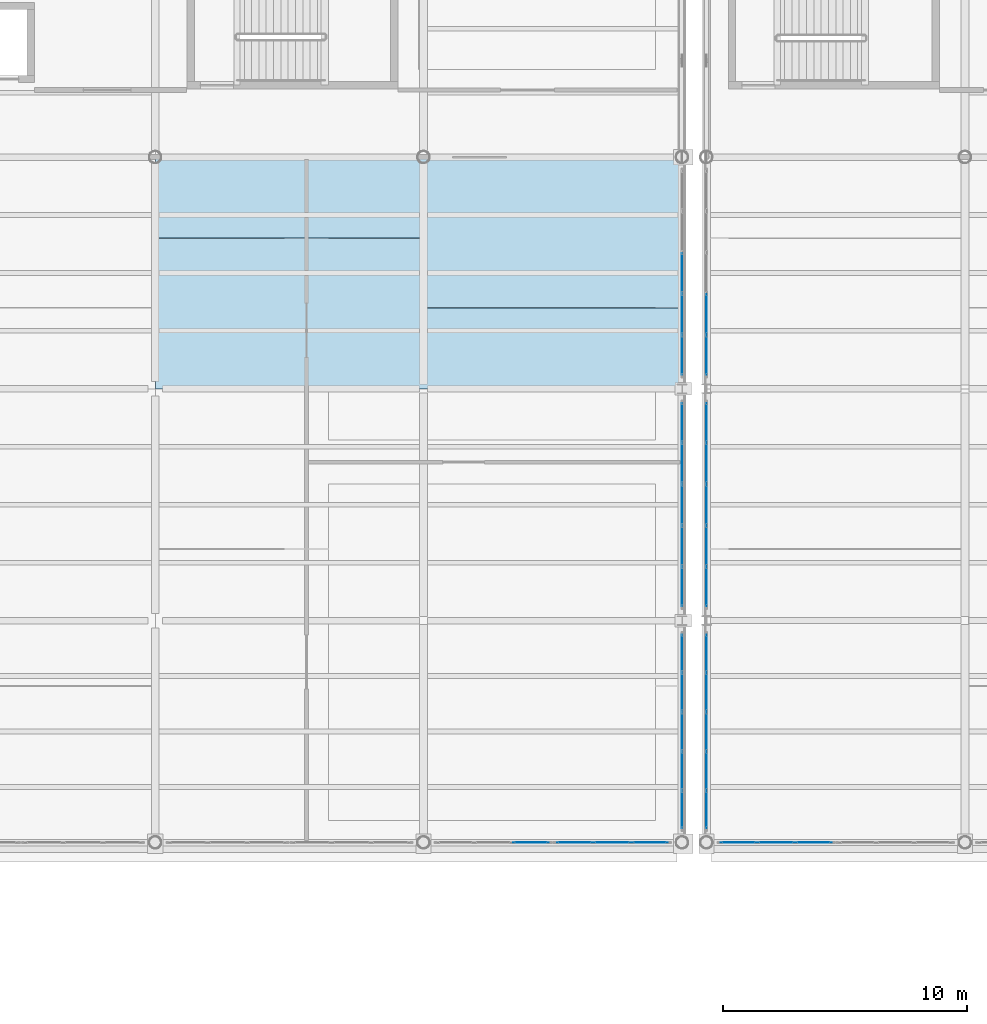
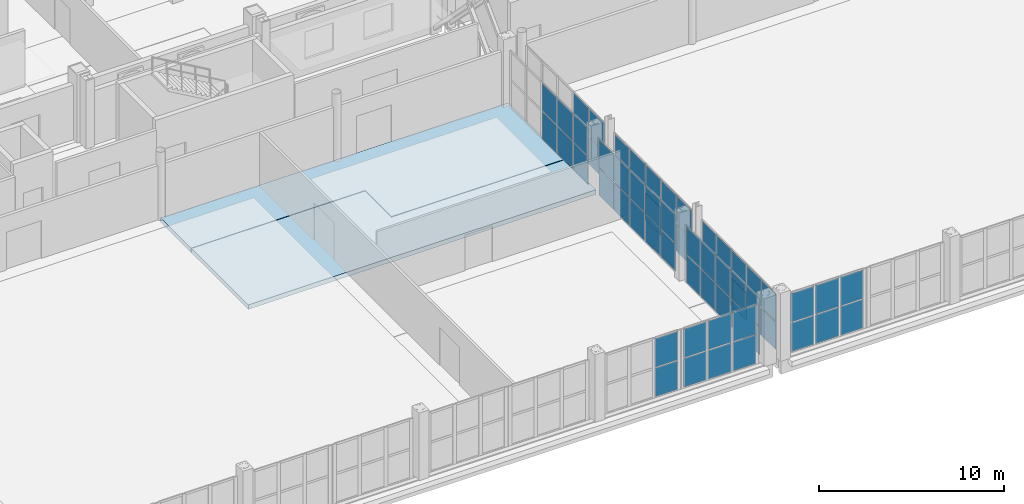
# One storey, part 103 of 156: 64 plates, 2 slabs, 9 elements without a shape of their own.
"""IFC4 building model written with IfcOpenShell, lengths in metres."""

from ifc_helpers import new_model, si_unit, direction, frame, origin, origin_2d, place, context, subcontext, project, spatial, polyline, rectangle, outline, extrude, material, layer, layer_set, type_object, element, aggregate, save


model = new_model("IFC4")

# Units and contexts
model_context = context("Model", 3, precision=1e-05, world=origin(), true_north=direction((0.0, 1.0)))
body_context = subcontext(model_context, "Body", "Model", "MODEL_VIEW")
ifc_project = project(units=[si_unit("LENGTHUNIT", "METRE"), si_unit("AREAUNIT", "SQUARE_METRE"), si_unit("VOLUMEUNIT", "CUBIC_METRE"), si_unit("PLANEANGLEUNIT", "RADIAN"), si_unit("MASSUNIT", "GRAM", prefix="KILO")], contexts=[model_context])

# Site, building, storey
site_placement = place(None, origin())
site = spatial("IfcSite", under=ifc_project, at=site_placement, CompositionType="ELEMENT")
building_placement = place(site_placement, origin())
building = spatial("IfcBuilding", under=site, at=building_placement, Name="Caurita Quay Ferry Terminal", CompositionType="ELEMENT")
storey_placement = place(building_placement, frame((0.0, 0.0, 5.39990234375)))
storey = spatial("IfcBuildingStorey", under=building, at=storey_placement, Name="L01", CompositionType="ELEMENT", Elevation=5.39990234375)

# Curtain wall, plates
ifc_material_1 = material(Name="Laminated solar-control insulated glass", Category="glass")
curtain_wall_type_1 = type_object("IfcCurtainWallType", Name="CW-SYS-09", PredefinedType="NOTDEFINED", material=ifc_material_1)
curtain_wall_1_placement = place(storey_placement, origin())
curtain_wall_1 = element("IfcCurtainWall", 1, at=curtain_wall_1_placement, inside=storey, type_object=curtain_wall_type_1, Name="V1 Waterside Concourse Curtain Wall 063", PredefinedType="NOTDEFINED")
ifc_layer_1 = layer(ifc_material_1, 0.028076171875, Name="Laminated low-e hurricane-rated glazing unit 28 mm")
ifc_layer_set_1 = layer_set([ifc_layer_1], Name="Laminated solar-control insulated glass")
plate_type = type_object("IfcPlateType", Name="CW-PNL-28", PredefinedType="CURTAIN_PANEL", material=ifc_layer_set_1)
plate_1_placement = place(storey_placement, frame((81.4013671875, 34.60009765625, 0.06298828125), z_axis=(0.0, 0.0, 1.0), x_axis=(1.0, 0.0, 0.0)))
plate_1 = element("IfcPlate", 2, at=plate_1_placement, type_object=plate_type, Name="CW-SEA-063 Glazing Panel 5", PredefinedType="CURTAIN_PANEL", context=body_context, shape_type="SweptSolid", body=[
    extrude(rectangle(XDim=1.451416015625, YDim=0.028076171875, at=origin_2d()), origin(), (0.0, 0.0, 1.0), 1.8916015625),
])
plate_2_placement = place(storey_placement, frame((81.4013671875, 34.60009765625, 2.015625), z_axis=(0.0, 0.0, 1.0), x_axis=(1.0, 0.0, 0.0)))
plate_2 = element("IfcPlate", 3, at=plate_2_placement, type_object=plate_type, Name="CW-SEA-063 Glazing Panel 6", PredefinedType="CURTAIN_PANEL", context=body_context, shape_type="SweptSolid", body=[
    extrude(rectangle(XDim=1.451416015625, YDim=0.028076171875, at=origin_2d()), origin(), (0.0, 0.0, 1.0), 1.8916015625),
])
aggregate(curtain_wall_1, [plate_1, plate_2])

curtain_wall_2_placement = place(storey_placement, origin())
curtain_wall_2 = element("IfcCurtainWall", 4, at=curtain_wall_2_placement, inside=storey, type_object=curtain_wall_type_1, Name="V1 Waterside Concourse Curtain Wall 064", PredefinedType="NOTDEFINED")
plate_3_placement = place(storey_placement, frame((83.19873046875, 34.60009765625, 0.06298828125), z_axis=(0.0, 0.0, 1.0), x_axis=(1.0, 0.0, 0.0)))
plate_3 = element("IfcPlate", 5, at=plate_3_placement, type_object=plate_type, Name="CW-SEA-064 Glazing Panel 1", PredefinedType="CURTAIN_PANEL", context=body_context, shape_type="SweptSolid", body=[
    extrude(rectangle(XDim=1.451416015625, YDim=0.028076171875, at=origin_2d()), origin(), (0.0, 0.0, 1.0), 1.8916015625),
])
plate_4_placement = place(storey_placement, frame((83.19873046875, 34.60009765625, 2.015625), z_axis=(0.0, 0.0, 1.0), x_axis=(1.0, 0.0, 0.0)))
plate_4 = element("IfcPlate", 6, at=plate_4_placement, type_object=plate_type, Name="CW-SEA-064 Glazing Panel 2", PredefinedType="CURTAIN_PANEL", context=body_context, shape_type="SweptSolid", body=[
    extrude(rectangle(XDim=1.451416015625, YDim=0.028076171875, at=origin_2d()), origin(), (0.0, 0.0, 1.0), 1.8916015625),
])
plate_5_placement = place(storey_placement, frame((84.739990234375, 34.60009765625, 0.06298828125), z_axis=(0.0, 0.0, 1.0), x_axis=(1.0, 0.0, 0.0)))
plate_5 = element("IfcPlate", 7, at=plate_5_placement, type_object=plate_type, Name="CW-SEA-064 Glazing Panel 3", PredefinedType="CURTAIN_PANEL", context=body_context, shape_type="SweptSolid", body=[
    extrude(rectangle(XDim=1.489013671875, YDim=0.028076171875, at=origin_2d()), origin(), (0.0, 0.0, 1.0), 1.8916015625),
])
plate_6_placement = place(storey_placement, frame((84.739990234375, 34.60009765625, 2.015625), z_axis=(0.0, 0.0, 1.0), x_axis=(1.0, 0.0, 0.0)))
plate_6 = element("IfcPlate", 8, at=plate_6_placement, type_object=plate_type, Name="CW-SEA-064 Glazing Panel 4", PredefinedType="CURTAIN_PANEL", context=body_context, shape_type="SweptSolid", body=[
    extrude(rectangle(XDim=1.489013671875, YDim=0.028076171875, at=origin_2d()), origin(), (0.0, 0.0, 1.0), 1.8916015625),
])
plate_7_placement = place(storey_placement, frame((86.28125, 34.60009765625, 0.06298828125), z_axis=(0.0, 0.0, 1.0), x_axis=(1.0, 0.0, 0.0)))
plate_7 = element("IfcPlate", 9, at=plate_7_placement, type_object=plate_type, Name="CW-SEA-064 Glazing Panel 5", PredefinedType="CURTAIN_PANEL", context=body_context, shape_type="SweptSolid", body=[
    extrude(rectangle(XDim=1.451416015625, YDim=0.028076171875, at=origin_2d()), origin(), (0.0, 0.0, 1.0), 1.8916015625),
])
plate_8_placement = place(storey_placement, frame((86.28125, 34.60009765625, 2.015625), z_axis=(0.0, 0.0, 1.0), x_axis=(1.0, 0.0, 0.0)))
plate_8 = element("IfcPlate", 10, at=plate_8_placement, type_object=plate_type, Name="CW-SEA-064 Glazing Panel 6", PredefinedType="CURTAIN_PANEL", context=body_context, shape_type="SweptSolid", body=[
    extrude(rectangle(XDim=1.451416015625, YDim=0.028076171875, at=origin_2d()), origin(), (0.0, 0.0, 1.0), 1.8916015625),
])
aggregate(curtain_wall_2, [plate_3, plate_4, plate_5, plate_6, plate_7, plate_8])

curtain_wall_3_placement = place(storey_placement, origin())
curtain_wall_3 = element("IfcCurtainWall", 11, at=curtain_wall_3_placement, inside=storey, type_object=curtain_wall_type_1, Name="V2 Waterside Concourse Curtain Wall 065", PredefinedType="NOTDEFINED")
plate_9_placement = place(storey_placement, frame((89.918701171875, 34.60009765625, 0.06298828125), z_axis=(0.0, 0.0, 1.0), x_axis=(1.0, 0.0, 0.0)))
plate_9 = element("IfcPlate", 12, at=plate_9_placement, type_object=plate_type, Name="CW-SEA-065 Glazing Panel 1", PredefinedType="CURTAIN_PANEL", context=body_context, shape_type="SweptSolid", body=[
    extrude(rectangle(XDim=1.451416015625, YDim=0.028076171875, at=origin_2d()), origin(), (0.0, 0.0, 1.0), 1.8916015625),
])
plate_10_placement = place(storey_placement, frame((89.918701171875, 34.60009765625, 2.015625), z_axis=(0.0, 0.0, 1.0), x_axis=(1.0, 0.0, 0.0)))
plate_10 = element("IfcPlate", 13, at=plate_10_placement, type_object=plate_type, Name="CW-SEA-065 Glazing Panel 2", PredefinedType="CURTAIN_PANEL", context=body_context, shape_type="SweptSolid", body=[
    extrude(rectangle(XDim=1.451416015625, YDim=0.028076171875, at=origin_2d()), origin(), (0.0, 0.0, 1.0), 1.8916015625),
])
plate_11_placement = place(storey_placement, frame((91.4599609375, 34.60009765625, 0.06298828125), z_axis=(0.0, 0.0, 1.0), x_axis=(1.0, 0.0, 0.0)))
plate_11 = element("IfcPlate", 14, at=plate_11_placement, type_object=plate_type, Name="CW-SEA-065 Glazing Panel 3", PredefinedType="CURTAIN_PANEL", context=body_context, shape_type="SweptSolid", body=[
    extrude(rectangle(XDim=1.489013671875, YDim=0.028076171875, at=origin_2d()), origin(), (0.0, 0.0, 1.0), 1.8916015625),
])
plate_12_placement = place(storey_placement, frame((91.4599609375, 34.60009765625, 2.015625), z_axis=(0.0, 0.0, 1.0), x_axis=(1.0, 0.0, 0.0)))
plate_12 = element("IfcPlate", 15, at=plate_12_placement, type_object=plate_type, Name="CW-SEA-065 Glazing Panel 4", PredefinedType="CURTAIN_PANEL", context=body_context, shape_type="SweptSolid", body=[
    extrude(rectangle(XDim=1.489013671875, YDim=0.028076171875, at=origin_2d()), origin(), (0.0, 0.0, 1.0), 1.8916015625),
])
plate_13_placement = place(storey_placement, frame((93.001220703125, 34.60009765625, 0.06298828125), z_axis=(0.0, 0.0, 1.0), x_axis=(1.0, 0.0, 0.0)))
plate_13 = element("IfcPlate", 16, at=plate_13_placement, type_object=plate_type, Name="CW-SEA-065 Glazing Panel 5", PredefinedType="CURTAIN_PANEL", context=body_context, shape_type="SweptSolid", body=[
    extrude(rectangle(XDim=1.451416015625, YDim=0.028076171875, at=origin_2d()), origin(), (0.0, 0.0, 1.0), 1.8916015625),
])
plate_14_placement = place(storey_placement, frame((93.001220703125, 34.60009765625, 2.015625), z_axis=(0.0, 0.0, 1.0), x_axis=(1.0, 0.0, 0.0)))
plate_14 = element("IfcPlate", 17, at=plate_14_placement, type_object=plate_type, Name="CW-SEA-065 Glazing Panel 6", PredefinedType="CURTAIN_PANEL", context=body_context, shape_type="SweptSolid", body=[
    extrude(rectangle(XDim=1.451416015625, YDim=0.028076171875, at=origin_2d()), origin(), (0.0, 0.0, 1.0), 1.8916015625),
])
aggregate(curtain_wall_3, [plate_9, plate_10, plate_11, plate_12, plate_13, plate_14])

curtain_wall_type_2 = type_object("IfcCurtainWallType", Name="CW-SYS-11", PredefinedType="NOTDEFINED", material=ifc_material_1)
curtain_wall_4_placement = place(storey_placement, origin())
curtain_wall_4 = element("IfcCurtainWall", 18, at=curtain_wall_4_placement, inside=storey, type_object=curtain_wall_type_2, Name="Concourse Gable Curtain Wall 080", PredefinedType="NOTDEFINED")
plate_15_placement = place(storey_placement, frame((87.60009765625, 35.942138671875, 0.05810546875), z_axis=(0.0, 0.0, 1.0), x_axis=(0.0, 1.0, 0.0)))
plate_15 = element("IfcPlate", 19, at=plate_15_placement, type_object=plate_type, Name="CW-GBL-080 Glazing Panel 1", PredefinedType="CURTAIN_PANEL", context=body_context, shape_type="SweptSolid", body=[
    extrude(rectangle(XDim=1.5185546875, YDim=0.028076171875, at=origin_2d()), origin(), (0.0, 0.0, 1.0), 1.81396484375),
])
plate_16_placement = place(storey_placement, frame((87.60009765625, 35.942138671875, 1.92822265625), z_axis=(0.0, 0.0, 1.0), x_axis=(0.0, 1.0, 0.0)))
plate_16 = element("IfcPlate", 20, at=plate_16_placement, type_object=plate_type, Name="CW-GBL-080 Glazing Panel 2", PredefinedType="CURTAIN_PANEL", context=body_context, shape_type="SweptSolid", body=[
    extrude(rectangle(XDim=1.5185546875, YDim=0.028076171875, at=origin_2d()), origin(), (0.0, 0.0, 1.0), 1.81396484375),
])
plate_17_placement = place(storey_placement, frame((87.60009765625, 37.5380859375, 0.05810546875), z_axis=(0.0, 0.0, 1.0), x_axis=(0.0, 1.0, 0.0)))
plate_17 = element("IfcPlate", 21, at=plate_17_placement, type_object=plate_type, Name="CW-GBL-080 Glazing Panel 3", PredefinedType="CURTAIN_PANEL", context=body_context, shape_type="SweptSolid", body=[
    extrude(rectangle(XDim=1.551025390625, YDim=0.028076171875, at=origin_2d()), origin(), (0.0, 0.0, 1.0), 1.81396484375),
])
plate_18_placement = place(storey_placement, frame((87.60009765625, 37.5380859375, 1.92822265625), z_axis=(0.0, 0.0, 1.0), x_axis=(0.0, 1.0, 0.0)))
plate_18 = element("IfcPlate", 22, at=plate_18_placement, type_object=plate_type, Name="CW-GBL-080 Glazing Panel 4", PredefinedType="CURTAIN_PANEL", context=body_context, shape_type="SweptSolid", body=[
    extrude(rectangle(XDim=1.551025390625, YDim=0.028076171875, at=origin_2d()), origin(), (0.0, 0.0, 1.0), 1.81396484375),
])
plate_19_placement = place(storey_placement, frame((87.60009765625, 39.14990234375, 0.05810546875), z_axis=(0.0, 0.0, 1.0), x_axis=(0.0, 1.0, 0.0)))
plate_19 = element("IfcPlate", 23, at=plate_19_placement, type_object=plate_type, Name="CW-GBL-080 Glazing Panel 5", PredefinedType="CURTAIN_PANEL", context=body_context, shape_type="SweptSolid", body=[
    extrude(rectangle(XDim=1.551025390625, YDim=0.028076171875, at=origin_2d()), origin(), (0.0, 0.0, 1.0), 1.81396484375),
])
plate_20_placement = place(storey_placement, frame((87.60009765625, 39.14990234375, 1.92822265625), z_axis=(0.0, 0.0, 1.0), x_axis=(0.0, 1.0, 0.0)))
plate_20 = element("IfcPlate", 24, at=plate_20_placement, type_object=plate_type, Name="CW-GBL-080 Glazing Panel 6", PredefinedType="CURTAIN_PANEL", context=body_context, shape_type="SweptSolid", body=[
    extrude(rectangle(XDim=1.551025390625, YDim=0.028076171875, at=origin_2d()), origin(), (0.0, 0.0, 1.0), 1.81396484375),
])
plate_21_placement = place(storey_placement, frame((87.60009765625, 40.761962890625, 0.05810546875), z_axis=(0.0, 0.0, 1.0), x_axis=(0.0, 1.0, 0.0)))
plate_21 = element("IfcPlate", 25, at=plate_21_placement, type_object=plate_type, Name="CW-GBL-080 Glazing Panel 7", PredefinedType="CURTAIN_PANEL", context=body_context, shape_type="SweptSolid", body=[
    extrude(rectangle(XDim=1.551025390625, YDim=0.028076171875, at=origin_2d()), origin(), (0.0, 0.0, 1.0), 1.81396484375),
])
plate_22_placement = place(storey_placement, frame((87.60009765625, 40.761962890625, 1.92822265625), z_axis=(0.0, 0.0, 1.0), x_axis=(0.0, 1.0, 0.0)))
plate_22 = element("IfcPlate", 26, at=plate_22_placement, type_object=plate_type, Name="CW-GBL-080 Glazing Panel 8", PredefinedType="CURTAIN_PANEL", context=body_context, shape_type="SweptSolid", body=[
    extrude(rectangle(XDim=1.551025390625, YDim=0.028076171875, at=origin_2d()), origin(), (0.0, 0.0, 1.0), 1.81396484375),
])
plate_23_placement = place(storey_placement, frame((87.60009765625, 42.357666015625, 0.05810546875), z_axis=(0.0, 0.0, 1.0), x_axis=(0.0, 1.0, 0.0)))
plate_23 = element("IfcPlate", 27, at=plate_23_placement, type_object=plate_type, Name="CW-GBL-080 Glazing Panel 9", PredefinedType="CURTAIN_PANEL", context=body_context, shape_type="SweptSolid", body=[
    extrude(rectangle(XDim=1.5185546875, YDim=0.028076171875, at=origin_2d()), origin(), (0.0, 0.0, 1.0), 1.81396484375),
])
plate_24_placement = place(storey_placement, frame((87.60009765625, 42.357666015625, 1.92822265625), z_axis=(0.0, 0.0, 1.0), x_axis=(0.0, 1.0, 0.0)))
plate_24 = element("IfcPlate", 28, at=plate_24_placement, type_object=plate_type, Name="CW-GBL-080 Glazing Panel 10", PredefinedType="CURTAIN_PANEL", context=body_context, shape_type="SweptSolid", body=[
    extrude(rectangle(XDim=1.5185546875, YDim=0.028076171875, at=origin_2d()), origin(), (0.0, 0.0, 1.0), 1.81396484375),
])
aggregate(curtain_wall_4, [plate_15, plate_16, plate_17, plate_18, plate_19, plate_20, plate_21, plate_22, plate_23, plate_24])

curtain_wall_type_3 = type_object("IfcCurtainWallType", Name="CW-SYS-12", PredefinedType="NOTDEFINED", material=ifc_material_1)
curtain_wall_5_placement = place(storey_placement, origin())
curtain_wall_5 = element("IfcCurtainWall", 29, at=curtain_wall_5_placement, inside=storey, type_object=curtain_wall_type_3, Name="Concourse Gable Curtain Wall 081", PredefinedType="NOTDEFINED")
plate_25_placement = place(storey_placement, frame((87.60009765625, 45.082275390625, 0.05810546875), z_axis=(0.0, 0.0, 1.0), x_axis=(0.0, 1.0, 0.0)))
plate_25 = element("IfcPlate", 30, at=plate_25_placement, type_object=plate_type, Name="CW-GBL-081 Glazing Panel 1", PredefinedType="CURTAIN_PANEL", context=body_context, shape_type="SweptSolid", body=[
    extrude(rectangle(XDim=1.598388671875, YDim=0.028076171875, at=origin_2d()), origin(), (0.0, 0.0, 1.0), 1.81396484375),
])
plate_26_placement = place(storey_placement, frame((87.60009765625, 45.082275390625, 1.92822265625), z_axis=(0.0, 0.0, 1.0), x_axis=(0.0, 1.0, 0.0)))
plate_26 = element("IfcPlate", 31, at=plate_26_placement, type_object=plate_type, Name="CW-GBL-081 Glazing Panel 2", PredefinedType="CURTAIN_PANEL", context=body_context, shape_type="SweptSolid", body=[
    extrude(rectangle(XDim=1.598388671875, YDim=0.028076171875, at=origin_2d()), origin(), (0.0, 0.0, 1.0), 1.81396484375),
])
plate_27_placement = place(storey_placement, frame((87.60009765625, 46.758056640625, 0.05810546875), z_axis=(0.0, 0.0, 1.0), x_axis=(0.0, 1.0, 0.0)))
plate_27 = element("IfcPlate", 32, at=plate_27_placement, type_object=plate_type, Name="CW-GBL-081 Glazing Panel 3", PredefinedType="CURTAIN_PANEL", context=body_context, shape_type="SweptSolid", body=[
    extrude(rectangle(XDim=1.631103515625, YDim=0.028076171875, at=origin_2d()), origin(), (0.0, 0.0, 1.0), 1.81396484375),
])
plate_28_placement = place(storey_placement, frame((87.60009765625, 46.758056640625, 1.92822265625), z_axis=(0.0, 0.0, 1.0), x_axis=(0.0, 1.0, 0.0)))
plate_28 = element("IfcPlate", 33, at=plate_28_placement, type_object=plate_type, Name="CW-GBL-081 Glazing Panel 4", PredefinedType="CURTAIN_PANEL", context=body_context, shape_type="SweptSolid", body=[
    extrude(rectangle(XDim=1.631103515625, YDim=0.028076171875, at=origin_2d()), origin(), (0.0, 0.0, 1.0), 1.81396484375),
])
plate_29_placement = place(storey_placement, frame((87.60009765625, 48.449951171875, 0.05810546875), z_axis=(0.0, 0.0, 1.0), x_axis=(0.0, 1.0, 0.0)))
plate_29 = element("IfcPlate", 34, at=plate_29_placement, type_object=plate_type, Name="CW-GBL-081 Glazing Panel 5", PredefinedType="CURTAIN_PANEL", context=body_context, shape_type="SweptSolid", body=[
    extrude(rectangle(XDim=1.631103515625, YDim=0.028076171875, at=origin_2d()), origin(), (0.0, 0.0, 1.0), 1.81396484375),
])
plate_30_placement = place(storey_placement, frame((87.60009765625, 48.449951171875, 1.92822265625), z_axis=(0.0, 0.0, 1.0), x_axis=(0.0, 1.0, 0.0)))
plate_30 = element("IfcPlate", 35, at=plate_30_placement, type_object=plate_type, Name="CW-GBL-081 Glazing Panel 6", PredefinedType="CURTAIN_PANEL", context=body_context, shape_type="SweptSolid", body=[
    extrude(rectangle(XDim=1.631103515625, YDim=0.028076171875, at=origin_2d()), origin(), (0.0, 0.0, 1.0), 1.81396484375),
])
plate_31_placement = place(storey_placement, frame((87.60009765625, 50.14208984375, 0.05810546875), z_axis=(0.0, 0.0, 1.0), x_axis=(0.0, 1.0, 0.0)))
plate_31 = element("IfcPlate", 36, at=plate_31_placement, type_object=plate_type, Name="CW-GBL-081 Glazing Panel 7", PredefinedType="CURTAIN_PANEL", context=body_context, shape_type="SweptSolid", body=[
    extrude(rectangle(XDim=1.631103515625, YDim=0.028076171875, at=origin_2d()), origin(), (0.0, 0.0, 1.0), 1.81396484375),
])
plate_32_placement = place(storey_placement, frame((87.60009765625, 50.14208984375, 1.92822265625), z_axis=(0.0, 0.0, 1.0), x_axis=(0.0, 1.0, 0.0)))
plate_32 = element("IfcPlate", 37, at=plate_32_placement, type_object=plate_type, Name="CW-GBL-081 Glazing Panel 8", PredefinedType="CURTAIN_PANEL", context=body_context, shape_type="SweptSolid", body=[
    extrude(rectangle(XDim=1.631103515625, YDim=0.028076171875, at=origin_2d()), origin(), (0.0, 0.0, 1.0), 1.81396484375),
])
plate_33_placement = place(storey_placement, frame((87.60009765625, 51.817626953125, 0.05810546875), z_axis=(0.0, 0.0, 1.0), x_axis=(0.0, 1.0, 0.0)))
plate_33 = element("IfcPlate", 38, at=plate_33_placement, type_object=plate_type, Name="CW-GBL-081 Glazing Panel 9", PredefinedType="CURTAIN_PANEL", context=body_context, shape_type="SweptSolid", body=[
    extrude(rectangle(XDim=1.598388671875, YDim=0.028076171875, at=origin_2d()), origin(), (0.0, 0.0, 1.0), 1.81396484375),
])
plate_34_placement = place(storey_placement, frame((87.60009765625, 51.817626953125, 1.92822265625), z_axis=(0.0, 0.0, 1.0), x_axis=(0.0, 1.0, 0.0)))
plate_34 = element("IfcPlate", 39, at=plate_34_placement, type_object=plate_type, Name="CW-GBL-081 Glazing Panel 10", PredefinedType="CURTAIN_PANEL", context=body_context, shape_type="SweptSolid", body=[
    extrude(rectangle(XDim=1.598388671875, YDim=0.028076171875, at=origin_2d()), origin(), (0.0, 0.0, 1.0), 1.81396484375),
])
aggregate(curtain_wall_5, [plate_25, plate_26, plate_27, plate_28, plate_29, plate_30, plate_31, plate_32, plate_33, plate_34])

curtain_wall_6_placement = place(storey_placement, origin())
curtain_wall_6 = element("IfcCurtainWall", 40, at=curtain_wall_6_placement, inside=storey, type_object=curtain_wall_type_3, Name="Concourse Gable Curtain Wall 082", PredefinedType="NOTDEFINED")
plate_35_placement = place(storey_placement, frame((87.60009765625, 54.582275390625, 0.05810546875), z_axis=(0.0, 0.0, 1.0), x_axis=(0.0, 1.0, 0.0)))
plate_35 = element("IfcPlate", 41, at=plate_35_placement, type_object=plate_type, Name="CW-GBL-082 Glazing Panel 1", PredefinedType="CURTAIN_PANEL", context=body_context, shape_type="SweptSolid", body=[
    extrude(rectangle(XDim=1.598388671875, YDim=0.028076171875, at=origin_2d()), origin(), (0.0, 0.0, 1.0), 1.81396484375),
])
plate_36_placement = place(storey_placement, frame((87.60009765625, 54.582275390625, 1.92822265625), z_axis=(0.0, 0.0, 1.0), x_axis=(0.0, 1.0, 0.0)))
plate_36 = element("IfcPlate", 42, at=plate_36_placement, type_object=plate_type, Name="CW-GBL-082 Glazing Panel 2", PredefinedType="CURTAIN_PANEL", context=body_context, shape_type="SweptSolid", body=[
    extrude(rectangle(XDim=1.598388671875, YDim=0.028076171875, at=origin_2d()), origin(), (0.0, 0.0, 1.0), 1.81396484375),
])
plate_37_placement = place(storey_placement, frame((87.60009765625, 56.258056640625, 0.05810546875), z_axis=(0.0, 0.0, 1.0), x_axis=(0.0, 1.0, 0.0)))
plate_37 = element("IfcPlate", 43, at=plate_37_placement, type_object=plate_type, Name="CW-GBL-082 Glazing Panel 3", PredefinedType="CURTAIN_PANEL", context=body_context, shape_type="SweptSolid", body=[
    extrude(rectangle(XDim=1.631103515625, YDim=0.028076171875, at=origin_2d()), origin(), (0.0, 0.0, 1.0), 1.81396484375),
])
plate_38_placement = place(storey_placement, frame((87.60009765625, 56.258056640625, 1.92822265625), z_axis=(0.0, 0.0, 1.0), x_axis=(0.0, 1.0, 0.0)))
plate_38 = element("IfcPlate", 44, at=plate_38_placement, type_object=plate_type, Name="CW-GBL-082 Glazing Panel 4", PredefinedType="CURTAIN_PANEL", context=body_context, shape_type="SweptSolid", body=[
    extrude(rectangle(XDim=1.631103515625, YDim=0.028076171875, at=origin_2d()), origin(), (0.0, 0.0, 1.0), 1.81396484375),
])
plate_39_placement = place(storey_placement, frame((87.60009765625, 57.949951171875, 0.05810546875), z_axis=(0.0, 0.0, 1.0), x_axis=(0.0, 1.0, 0.0)))
plate_39 = element("IfcPlate", 45, at=plate_39_placement, type_object=plate_type, Name="CW-GBL-082 Glazing Panel 5", PredefinedType="CURTAIN_PANEL", context=body_context, shape_type="SweptSolid", body=[
    extrude(rectangle(XDim=1.631103515625, YDim=0.028076171875, at=origin_2d()), origin(), (0.0, 0.0, 1.0), 1.81396484375),
])
plate_40_placement = place(storey_placement, frame((87.60009765625, 57.949951171875, 1.92822265625), z_axis=(0.0, 0.0, 1.0), x_axis=(0.0, 1.0, 0.0)))
plate_40 = element("IfcPlate", 46, at=plate_40_placement, type_object=plate_type, Name="CW-GBL-082 Glazing Panel 6", PredefinedType="CURTAIN_PANEL", context=body_context, shape_type="SweptSolid", body=[
    extrude(rectangle(XDim=1.631103515625, YDim=0.028076171875, at=origin_2d()), origin(), (0.0, 0.0, 1.0), 1.81396484375),
])
aggregate(curtain_wall_6, [plate_35, plate_36, plate_37, plate_38, plate_39, plate_40])

curtain_wall_7_placement = place(storey_placement, origin())
curtain_wall_7 = element("IfcCurtainWall", 47, at=curtain_wall_7_placement, inside=storey, type_object=curtain_wall_type_2, Name="Concourse Gable Curtain Wall 083", PredefinedType="NOTDEFINED")
plate_41_placement = place(storey_placement, frame((88.60009765625, 35.942138671875, 0.05810546875), z_axis=(0.0, 0.0, 1.0), x_axis=(0.0, 1.0, 0.0)))
plate_41 = element("IfcPlate", 48, at=plate_41_placement, type_object=plate_type, Name="CW-GBL-083 Glazing Panel 1", PredefinedType="CURTAIN_PANEL", context=body_context, shape_type="SweptSolid", body=[
    extrude(rectangle(XDim=1.5185546875, YDim=0.028076171875, at=origin_2d()), origin(), (0.0, 0.0, 1.0), 1.81396484375),
])
plate_42_placement = place(storey_placement, frame((88.60009765625, 35.942138671875, 1.92822265625), z_axis=(0.0, 0.0, 1.0), x_axis=(0.0, 1.0, 0.0)))
plate_42 = element("IfcPlate", 49, at=plate_42_placement, type_object=plate_type, Name="CW-GBL-083 Glazing Panel 2", PredefinedType="CURTAIN_PANEL", context=body_context, shape_type="SweptSolid", body=[
    extrude(rectangle(XDim=1.5185546875, YDim=0.028076171875, at=origin_2d()), origin(), (0.0, 0.0, 1.0), 1.81396484375),
])
plate_43_placement = place(storey_placement, frame((88.60009765625, 37.5380859375, 0.05810546875), z_axis=(0.0, 0.0, 1.0), x_axis=(0.0, 1.0, 0.0)))
plate_43 = element("IfcPlate", 50, at=plate_43_placement, type_object=plate_type, Name="CW-GBL-083 Glazing Panel 3", PredefinedType="CURTAIN_PANEL", context=body_context, shape_type="SweptSolid", body=[
    extrude(rectangle(XDim=1.551025390625, YDim=0.028076171875, at=origin_2d()), origin(), (0.0, 0.0, 1.0), 1.81396484375),
])
plate_44_placement = place(storey_placement, frame((88.60009765625, 37.5380859375, 1.92822265625), z_axis=(0.0, 0.0, 1.0), x_axis=(0.0, 1.0, 0.0)))
plate_44 = element("IfcPlate", 51, at=plate_44_placement, type_object=plate_type, Name="CW-GBL-083 Glazing Panel 4", PredefinedType="CURTAIN_PANEL", context=body_context, shape_type="SweptSolid", body=[
    extrude(rectangle(XDim=1.551025390625, YDim=0.028076171875, at=origin_2d()), origin(), (0.0, 0.0, 1.0), 1.81396484375),
])
plate_45_placement = place(storey_placement, frame((88.60009765625, 39.14990234375, 0.05810546875), z_axis=(0.0, 0.0, 1.0), x_axis=(0.0, 1.0, 0.0)))
plate_45 = element("IfcPlate", 52, at=plate_45_placement, type_object=plate_type, Name="CW-GBL-083 Glazing Panel 5", PredefinedType="CURTAIN_PANEL", context=body_context, shape_type="SweptSolid", body=[
    extrude(rectangle(XDim=1.551025390625, YDim=0.028076171875, at=origin_2d()), origin(), (0.0, 0.0, 1.0), 1.81396484375),
])
plate_46_placement = place(storey_placement, frame((88.60009765625, 39.14990234375, 1.92822265625), z_axis=(0.0, 0.0, 1.0), x_axis=(0.0, 1.0, 0.0)))
plate_46 = element("IfcPlate", 53, at=plate_46_placement, type_object=plate_type, Name="CW-GBL-083 Glazing Panel 6", PredefinedType="CURTAIN_PANEL", context=body_context, shape_type="SweptSolid", body=[
    extrude(rectangle(XDim=1.551025390625, YDim=0.028076171875, at=origin_2d()), origin(), (0.0, 0.0, 1.0), 1.81396484375),
])
plate_47_placement = place(storey_placement, frame((88.60009765625, 40.761962890625, 0.05810546875), z_axis=(0.0, 0.0, 1.0), x_axis=(0.0, 1.0, 0.0)))
plate_47 = element("IfcPlate", 54, at=plate_47_placement, type_object=plate_type, Name="CW-GBL-083 Glazing Panel 7", PredefinedType="CURTAIN_PANEL", context=body_context, shape_type="SweptSolid", body=[
    extrude(rectangle(XDim=1.551025390625, YDim=0.028076171875, at=origin_2d()), origin(), (0.0, 0.0, 1.0), 1.81396484375),
])
plate_48_placement = place(storey_placement, frame((88.60009765625, 40.761962890625, 1.92822265625), z_axis=(0.0, 0.0, 1.0), x_axis=(0.0, 1.0, 0.0)))
plate_48 = element("IfcPlate", 55, at=plate_48_placement, type_object=plate_type, Name="CW-GBL-083 Glazing Panel 8", PredefinedType="CURTAIN_PANEL", context=body_context, shape_type="SweptSolid", body=[
    extrude(rectangle(XDim=1.551025390625, YDim=0.028076171875, at=origin_2d()), origin(), (0.0, 0.0, 1.0), 1.81396484375),
])
plate_49_placement = place(storey_placement, frame((88.60009765625, 42.357666015625, 0.05810546875), z_axis=(0.0, 0.0, 1.0), x_axis=(0.0, 1.0, 0.0)))
plate_49 = element("IfcPlate", 56, at=plate_49_placement, type_object=plate_type, Name="CW-GBL-083 Glazing Panel 9", PredefinedType="CURTAIN_PANEL", context=body_context, shape_type="SweptSolid", body=[
    extrude(rectangle(XDim=1.5185546875, YDim=0.028076171875, at=origin_2d()), origin(), (0.0, 0.0, 1.0), 1.81396484375),
])
plate_50_placement = place(storey_placement, frame((88.60009765625, 42.357666015625, 1.92822265625), z_axis=(0.0, 0.0, 1.0), x_axis=(0.0, 1.0, 0.0)))
plate_50 = element("IfcPlate", 57, at=plate_50_placement, type_object=plate_type, Name="CW-GBL-083 Glazing Panel 10", PredefinedType="CURTAIN_PANEL", context=body_context, shape_type="SweptSolid", body=[
    extrude(rectangle(XDim=1.5185546875, YDim=0.028076171875, at=origin_2d()), origin(), (0.0, 0.0, 1.0), 1.81396484375),
])
aggregate(curtain_wall_7, [plate_41, plate_42, plate_43, plate_44, plate_45, plate_46, plate_47, plate_48, plate_49, plate_50])

curtain_wall_8_placement = place(storey_placement, origin())
curtain_wall_8 = element("IfcCurtainWall", 58, at=curtain_wall_8_placement, inside=storey, type_object=curtain_wall_type_3, Name="Concourse Gable Curtain Wall 084", PredefinedType="NOTDEFINED")
plate_51_placement = place(storey_placement, frame((88.60009765625, 45.082275390625, 0.05810546875), z_axis=(0.0, 0.0, 1.0), x_axis=(0.0, 1.0, 0.0)))
plate_51 = element("IfcPlate", 59, at=plate_51_placement, type_object=plate_type, Name="CW-GBL-084 Glazing Panel 1", PredefinedType="CURTAIN_PANEL", context=body_context, shape_type="SweptSolid", body=[
    extrude(rectangle(XDim=1.598388671875, YDim=0.028076171875, at=origin_2d()), origin(), (0.0, 0.0, 1.0), 1.81396484375),
])
plate_52_placement = place(storey_placement, frame((88.60009765625, 45.082275390625, 1.92822265625), z_axis=(0.0, 0.0, 1.0), x_axis=(0.0, 1.0, 0.0)))
plate_52 = element("IfcPlate", 60, at=plate_52_placement, type_object=plate_type, Name="CW-GBL-084 Glazing Panel 2", PredefinedType="CURTAIN_PANEL", context=body_context, shape_type="SweptSolid", body=[
    extrude(rectangle(XDim=1.598388671875, YDim=0.028076171875, at=origin_2d()), origin(), (0.0, 0.0, 1.0), 1.81396484375),
])
plate_53_placement = place(storey_placement, frame((88.60009765625, 46.758056640625, 0.05810546875), z_axis=(0.0, 0.0, 1.0), x_axis=(0.0, 1.0, 0.0)))
plate_53 = element("IfcPlate", 61, at=plate_53_placement, type_object=plate_type, Name="CW-GBL-084 Glazing Panel 3", PredefinedType="CURTAIN_PANEL", context=body_context, shape_type="SweptSolid", body=[
    extrude(rectangle(XDim=1.631103515625, YDim=0.028076171875, at=origin_2d()), origin(), (0.0, 0.0, 1.0), 1.81396484375),
])
plate_54_placement = place(storey_placement, frame((88.60009765625, 46.758056640625, 1.92822265625), z_axis=(0.0, 0.0, 1.0), x_axis=(0.0, 1.0, 0.0)))
plate_54 = element("IfcPlate", 62, at=plate_54_placement, type_object=plate_type, Name="CW-GBL-084 Glazing Panel 4", PredefinedType="CURTAIN_PANEL", context=body_context, shape_type="SweptSolid", body=[
    extrude(rectangle(XDim=1.631103515625, YDim=0.028076171875, at=origin_2d()), origin(), (0.0, 0.0, 1.0), 1.81396484375),
])
plate_55_placement = place(storey_placement, frame((88.60009765625, 48.449951171875, 0.05810546875), z_axis=(0.0, 0.0, 1.0), x_axis=(0.0, 1.0, 0.0)))
plate_55 = element("IfcPlate", 63, at=plate_55_placement, type_object=plate_type, Name="CW-GBL-084 Glazing Panel 5", PredefinedType="CURTAIN_PANEL", context=body_context, shape_type="SweptSolid", body=[
    extrude(rectangle(XDim=1.631103515625, YDim=0.028076171875, at=origin_2d()), origin(), (0.0, 0.0, 1.0), 1.81396484375),
])
plate_56_placement = place(storey_placement, frame((88.60009765625, 48.449951171875, 1.92822265625), z_axis=(0.0, 0.0, 1.0), x_axis=(0.0, 1.0, 0.0)))
plate_56 = element("IfcPlate", 64, at=plate_56_placement, type_object=plate_type, Name="CW-GBL-084 Glazing Panel 6", PredefinedType="CURTAIN_PANEL", context=body_context, shape_type="SweptSolid", body=[
    extrude(rectangle(XDim=1.631103515625, YDim=0.028076171875, at=origin_2d()), origin(), (0.0, 0.0, 1.0), 1.81396484375),
])
plate_57_placement = place(storey_placement, frame((88.60009765625, 50.14208984375, 0.05810546875), z_axis=(0.0, 0.0, 1.0), x_axis=(0.0, 1.0, 0.0)))
plate_57 = element("IfcPlate", 65, at=plate_57_placement, type_object=plate_type, Name="CW-GBL-084 Glazing Panel 7", PredefinedType="CURTAIN_PANEL", context=body_context, shape_type="SweptSolid", body=[
    extrude(rectangle(XDim=1.631103515625, YDim=0.028076171875, at=origin_2d()), origin(), (0.0, 0.0, 1.0), 1.81396484375),
])
plate_58_placement = place(storey_placement, frame((88.60009765625, 50.14208984375, 1.92822265625), z_axis=(0.0, 0.0, 1.0), x_axis=(0.0, 1.0, 0.0)))
plate_58 = element("IfcPlate", 66, at=plate_58_placement, type_object=plate_type, Name="CW-GBL-084 Glazing Panel 8", PredefinedType="CURTAIN_PANEL", context=body_context, shape_type="SweptSolid", body=[
    extrude(rectangle(XDim=1.631103515625, YDim=0.028076171875, at=origin_2d()), origin(), (0.0, 0.0, 1.0), 1.81396484375),
])
plate_59_placement = place(storey_placement, frame((88.60009765625, 51.817626953125, 0.05810546875), z_axis=(0.0, 0.0, 1.0), x_axis=(0.0, 1.0, 0.0)))
plate_59 = element("IfcPlate", 67, at=plate_59_placement, type_object=plate_type, Name="CW-GBL-084 Glazing Panel 9", PredefinedType="CURTAIN_PANEL", context=body_context, shape_type="SweptSolid", body=[
    extrude(rectangle(XDim=1.598388671875, YDim=0.028076171875, at=origin_2d()), origin(), (0.0, 0.0, 1.0), 1.81396484375),
])
plate_60_placement = place(storey_placement, frame((88.60009765625, 51.817626953125, 1.92822265625), z_axis=(0.0, 0.0, 1.0), x_axis=(0.0, 1.0, 0.0)))
plate_60 = element("IfcPlate", 68, at=plate_60_placement, type_object=plate_type, Name="CW-GBL-084 Glazing Panel 10", PredefinedType="CURTAIN_PANEL", context=body_context, shape_type="SweptSolid", body=[
    extrude(rectangle(XDim=1.598388671875, YDim=0.028076171875, at=origin_2d()), origin(), (0.0, 0.0, 1.0), 1.81396484375),
])
aggregate(curtain_wall_8, [plate_51, plate_52, plate_53, plate_54, plate_55, plate_56, plate_57, plate_58, plate_59, plate_60])

curtain_wall_9_placement = place(storey_placement, origin())
curtain_wall_9 = element("IfcCurtainWall", 69, at=curtain_wall_9_placement, inside=storey, type_object=curtain_wall_type_3, Name="Concourse Gable Curtain Wall 085", PredefinedType="NOTDEFINED")
plate_61_placement = place(storey_placement, frame((88.60009765625, 54.582275390625, 0.05810546875), z_axis=(0.0, 0.0, 1.0), x_axis=(0.0, 1.0, 0.0)))
plate_61 = element("IfcPlate", 70, at=plate_61_placement, type_object=plate_type, Name="CW-GBL-085 Glazing Panel 1", PredefinedType="CURTAIN_PANEL", context=body_context, shape_type="SweptSolid", body=[
    extrude(rectangle(XDim=1.598388671875, YDim=0.028076171875, at=origin_2d()), origin(), (0.0, 0.0, 1.0), 1.81396484375),
])
plate_62_placement = place(storey_placement, frame((88.60009765625, 54.582275390625, 1.92822265625), z_axis=(0.0, 0.0, 1.0), x_axis=(0.0, 1.0, 0.0)))
plate_62 = element("IfcPlate", 71, at=plate_62_placement, type_object=plate_type, Name="CW-GBL-085 Glazing Panel 2", PredefinedType="CURTAIN_PANEL", context=body_context, shape_type="SweptSolid", body=[
    extrude(rectangle(XDim=1.598388671875, YDim=0.028076171875, at=origin_2d()), origin(), (0.0, 0.0, 1.0), 1.81396484375),
])
plate_63_placement = place(storey_placement, frame((88.60009765625, 56.258056640625, 0.05810546875), z_axis=(0.0, 0.0, 1.0), x_axis=(0.0, 1.0, 0.0)))
plate_63 = element("IfcPlate", 72, at=plate_63_placement, type_object=plate_type, Name="CW-GBL-085 Glazing Panel 3", PredefinedType="CURTAIN_PANEL", context=body_context, shape_type="SweptSolid", body=[
    extrude(rectangle(XDim=1.631103515625, YDim=0.028076171875, at=origin_2d()), origin(), (0.0, 0.0, 1.0), 1.81396484375),
])
plate_64_placement = place(storey_placement, frame((88.60009765625, 56.258056640625, 1.92822265625), z_axis=(0.0, 0.0, 1.0), x_axis=(0.0, 1.0, 0.0)))
plate_64 = element("IfcPlate", 73, at=plate_64_placement, type_object=plate_type, Name="CW-GBL-085 Glazing Panel 4", PredefinedType="CURTAIN_PANEL", context=body_context, shape_type="SweptSolid", body=[
    extrude(rectangle(XDim=1.631103515625, YDim=0.028076171875, at=origin_2d()), origin(), (0.0, 0.0, 1.0), 1.81396484375),
])
aggregate(curtain_wall_9, [plate_61, plate_62, plate_63, plate_64])

# Slabs
ifc_material_2 = material(Name="Reinforced concrete C35/45", Category="concrete")
ifc_layer_2 = layer(ifc_material_2, 0.300048828125, Name="Reinforced concrete floor slab 300 mm")
ifc_layer_set_2 = layer_set([ifc_layer_2], Name="Reinforced concrete C35/45")
slab_type = type_object("IfcSlabType", Name="SLB-CONC-300", PredefinedType="FLOOR", material=ifc_layer_set_2)
slab_1_placement = place(storey_placement, frame((0.0, 0.0, -0.2998046875)))
element("IfcSlab", 74, at=slab_1_placement, inside=storey, type_object=slab_type, Name="L01 V1-FLR Slab 11A", PredefinedType="FLOOR", context=body_context, shape_type="SweptSolid", body=[
    extrude(outline(polyline([(66.0, 53.199951171875), (87.75, 53.199951171875), (87.75, 56.510009765625), (76.860107421875, 56.510009765625), (76.860107421875, 59.360107421875), (66.0, 59.360107421875), (66.0, 53.199951171875)])), origin(), (0.0, 0.0, 1.0), 0.2998046875),
])
slab_2_placement = place(storey_placement, frame((0.0, 0.0, -0.2998046875)))
element("IfcSlab", 75, at=slab_2_placement, inside=storey, type_object=slab_type, Name="L01 V1-FLR Slab 11B", PredefinedType="FLOOR", context=body_context, shape_type="SweptSolid", body=[
    extrude(outline(polyline([(76.889892578125, 56.5400390625), (87.75, 56.5400390625), (87.75, 62.699951171875), (66.0, 62.699951171875), (66.0, 59.389892578125), (76.889892578125, 59.389892578125), (76.889892578125, 56.5400390625)])), origin(), (0.0, 0.0, 1.0), 0.2998046875),
])

save(model, "model.ifc")
